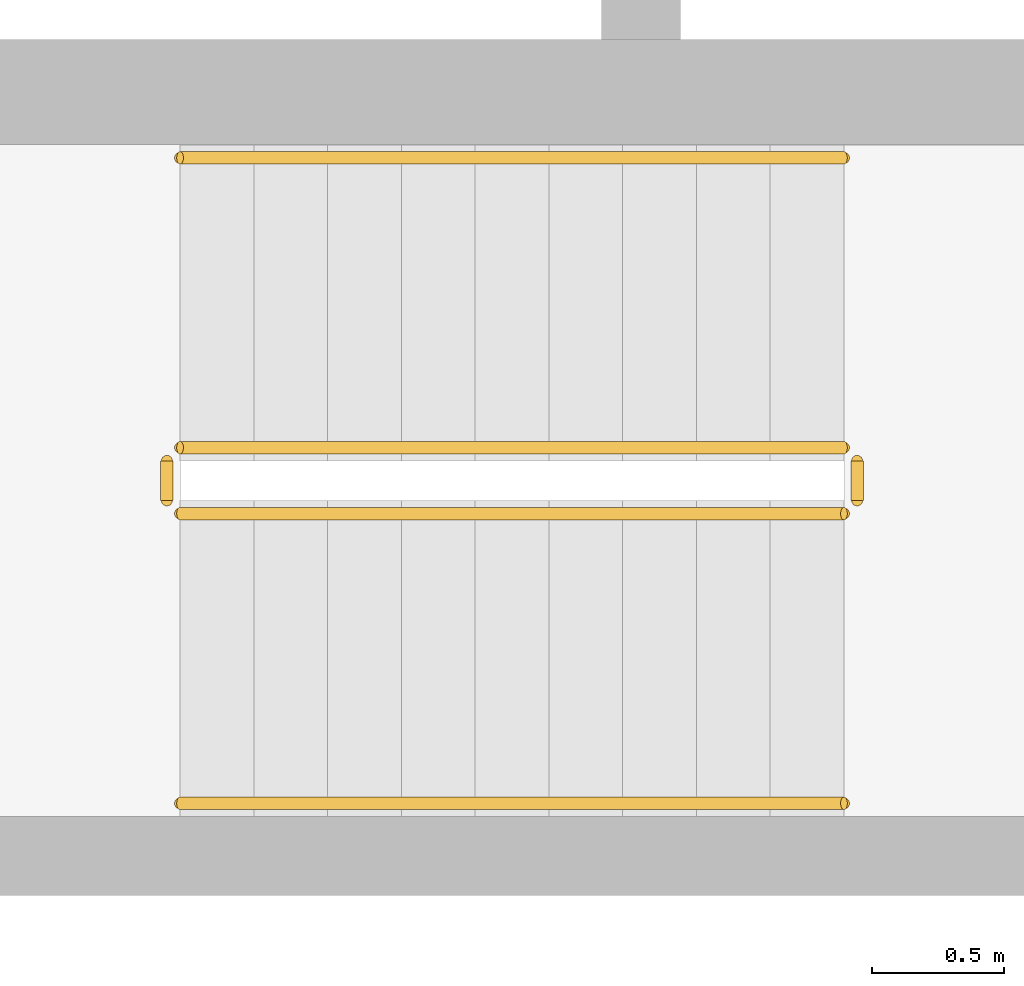
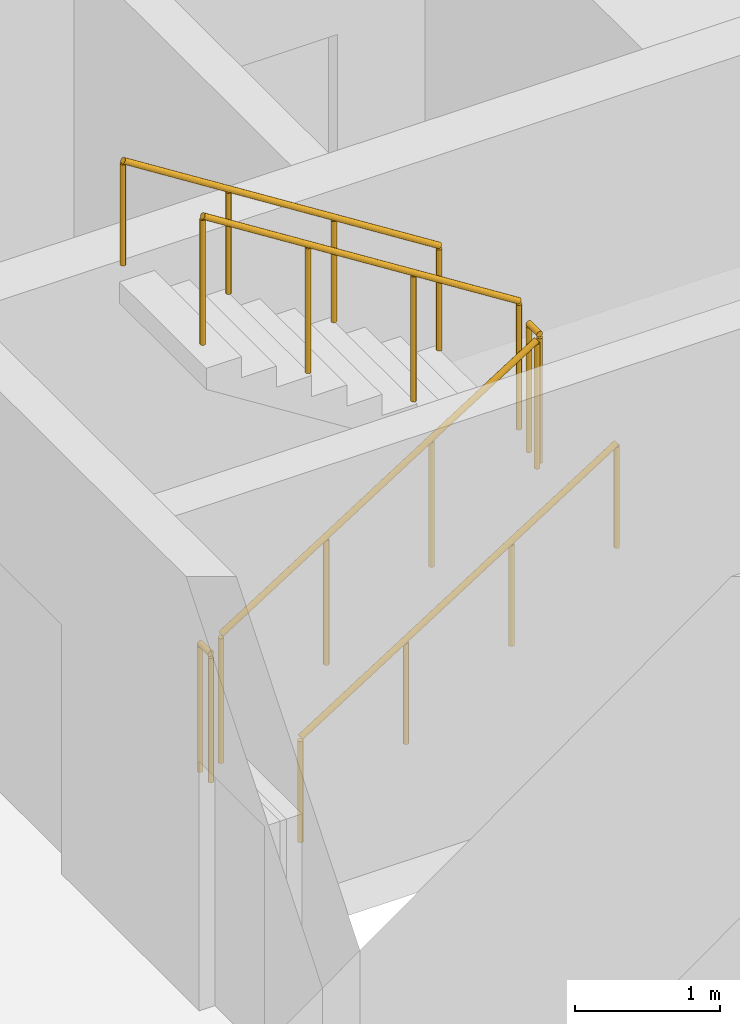
# One storey, part 16 of 19: 6 railings.
"""IFC4 building model written with IfcOpenShell, lengths in metres."""

from ifc_helpers import new_model, si_unit, direction, frame, origin, origin_2d, place, context, subcontext, project, spatial, circle, extrude, material, type_object, element, save


model = new_model("IFC4")

# Units and contexts
model_context = context("Model", 3, precision=1e-05, world=origin(), true_north=direction((0.0, 1.0)))
body_context = subcontext(model_context, "Body", "Model", "MODEL_VIEW")
ifc_project = project(units=[si_unit("LENGTHUNIT", "METRE"), si_unit("AREAUNIT", "SQUARE_METRE"), si_unit("VOLUMEUNIT", "CUBIC_METRE"), si_unit("PLANEANGLEUNIT", "RADIAN"), si_unit("MASSUNIT", "GRAM", prefix="KILO")], contexts=[model_context])

# Site, building, storey
site_placement = place(None, origin())
site = spatial("IfcSite", under=ifc_project, at=site_placement, CompositionType="ELEMENT")
building_placement = place(site_placement, origin())
building = spatial("IfcBuilding", under=site, at=building_placement, Name="Ostrand Prow Hotel Tower", CompositionType="ELEMENT")
storey_placement = place(building_placement, frame((0.0, 0.0, 43.14990234375)))
storey = spatial("IfcBuildingStorey", under=building, at=storey_placement, Name="L08", CompositionType="ELEMENT", Elevation=43.14990234375)

# Railings
ifc_material_1 = material(Name="Painted steel", Category="steel")
railing_type_1 = type_object("IfcRailingType", Name="Stair guard 1100", PredefinedType="GUARDRAIL", material=ifc_material_1)
railing_1_placement = place(storey_placement, frame((57.199951171875, -11.75, 0.177490234375)))
element("IfcRailing", 1, at=railing_1_placement, inside=storey, type_object=railing_type_1, Name="L08 ST2C stair guard 1", PredefinedType="GUARDRAIL", context=body_context, shape_type="SweptSolid", body=[
    extrude(circle(Radius=0.02392578125, at=origin_2d()), frame((0.0, 0.0, 1.076171875), z_axis=(0.84456994832, 0.0, 0.535445237532), x_axis=(0.0, 1.0, 0.0)), (0.0, 0.0, 1.0), 2.98388671875),
    extrude(circle(Radius=0.02099609375, at=origin_2d()), origin(), (0.0, 0.0, 1.0), 1.052001953125),
    extrude(circle(Radius=0.02099609375, at=origin_2d()), frame((0.840087890625, 0.0, 0.532470703125)), (0.0, 0.0, 1.0), 1.052001953125),
    extrude(circle(Radius=0.02099609375, at=origin_2d()), frame((1.679931640625, 0.0, 1.065185546875)), (0.0, 0.0, 1.0), 1.052001953125),
    extrude(circle(Radius=0.02099609375, at=origin_2d()), frame((2.52001953125, 0.0, 1.59765625)), (0.0, 0.0, 1.0), 1.052001953125),
])
railing_2_placement = place(storey_placement, frame((59.77001953125, -11.699951171875, 1.775146484375)))
element("IfcRailing", 2, at=railing_2_placement, inside=storey, type_object=railing_type_1, Name="L08 ST2C stair guard 2", PredefinedType="GUARDRAIL", context=body_context, shape_type="SweptSolid", body=[
    extrude(circle(Radius=0.02392578125, at=origin_2d()), frame((0.0, 0.0, 1.076171875), z_axis=(0.0, 1.0, 0.0), x_axis=(-1.0, 0.0, 0.0)), (0.0, 0.0, 1.0), 0.14990234375),
    extrude(circle(Radius=0.02099609375, at=origin_2d()), origin(), (0.0, 0.0, 1.0), 1.052001953125),
    extrude(circle(Radius=0.02099609375, at=origin_2d()), frame((0.0, 0.14990234375, 0.0)), (0.0, 0.0, 1.0), 1.052001953125),
])
railing_3_placement = place(storey_placement, frame((59.719970703125, -11.5, 1.95263671875)))
element("IfcRailing", 3, at=railing_3_placement, inside=storey, type_object=railing_type_1, Name="L08 ST2C stair guard 3", PredefinedType="GUARDRAIL", context=body_context, shape_type="SweptSolid", body=[
    extrude(circle(Radius=0.02392578125, at=origin_2d()), frame((0.0, 0.0, 1.076171875), z_axis=(-0.84460694969, 0.0, 0.535386869969), x_axis=(0.0, -1.0, 0.0)), (0.0, 0.0, 1.0), 2.983642578125),
    extrude(circle(Radius=0.02099609375, at=origin_2d()), origin(), (0.0, 0.0, 1.0), 1.052001953125),
    extrude(circle(Radius=0.02099609375, at=origin_2d()), frame((-0.840087890625, 0.0, 0.532470703125)), (0.0, 0.0, 1.0), 1.052001953125),
    extrude(circle(Radius=0.02099609375, at=origin_2d()), frame((-1.679931640625, 0.0, 1.06494140625)), (0.0, 0.0, 1.0), 1.052001953125),
    extrude(circle(Radius=0.02099609375, at=origin_2d()), frame((-2.52001953125, 0.0, 1.597412109375)), (0.0, 0.0, 1.0), 1.052001953125),
])
railing_4_placement = place(storey_placement, frame((57.14990234375, -11.699951171875, 0.0)))
element("IfcRailing", 4, at=railing_4_placement, inside=storey, type_object=railing_type_1, Name="L08 ST2C stair guard 4", PredefinedType="GUARDRAIL", context=body_context, shape_type="SweptSolid", body=[
    extrude(circle(Radius=0.02392578125, at=origin_2d()), frame((0.0, 0.0, 1.076171875), z_axis=(0.0, 1.0, 0.0), x_axis=(-1.0, 0.0, 0.0)), (0.0, 0.0, 1.0), 0.14990234375),
    extrude(circle(Radius=0.02099609375, at=origin_2d()), origin(), (0.0, 0.0, 1.0), 1.052001953125),
    extrude(circle(Radius=0.02099609375, at=origin_2d()), frame((0.0, 0.14990234375, 0.0)), (0.0, 0.0, 1.0), 1.052001953125),
])
ifc_material_2 = material(Name="Stainless steel", Category="steel")
railing_type_2 = type_object("IfcRailingType", Name="Stair handrail 900", PredefinedType="HANDRAIL", material=ifc_material_2)
railing_5_placement = place(storey_placement, frame((57.199951171875, -12.85009765625, 0.177490234375)))
element("IfcRailing", 5, at=railing_5_placement, inside=storey, type_object=railing_type_2, Name="L08 ST2C stair handrail 1", PredefinedType="HANDRAIL", context=body_context, shape_type="SweptSolid", body=[
    extrude(circle(Radius=0.02392578125, at=origin_2d()), frame((0.0, 0.0, 0.8759765625), z_axis=(0.84456994832, 0.0, 0.535445237532), x_axis=(0.0, 1.0, 0.0)), (0.0, 0.0, 1.0), 2.98388671875),
    extrude(circle(Radius=0.02099609375, at=origin_2d()), origin(), (0.0, 0.0, 1.0), 0.851806640625),
    extrude(circle(Radius=0.02099609375, at=origin_2d()), frame((0.840087890625, 0.0, 0.532470703125)), (0.0, 0.0, 1.0), 0.851806640625),
    extrude(circle(Radius=0.02099609375, at=origin_2d()), frame((1.679931640625, 0.0, 1.065185546875)), (0.0, 0.0, 1.0), 0.851806640625),
    extrude(circle(Radius=0.02099609375, at=origin_2d()), frame((2.52001953125, 0.0, 1.59765625)), (0.0, 0.0, 1.0), 0.851806640625),
])
railing_6_placement = place(storey_placement, frame((59.719970703125, -10.39990234375, 1.95263671875)))
element("IfcRailing", 6, at=railing_6_placement, inside=storey, type_object=railing_type_2, Name="L08 ST2C stair handrail 2", PredefinedType="HANDRAIL", context=body_context, shape_type="SweptSolid", body=[
    extrude(circle(Radius=0.02392578125, at=origin_2d()), frame((0.0, 0.0, 0.8759765625), z_axis=(-0.84460694969, 0.0, 0.535386869969), x_axis=(0.0, -1.0, 0.0)), (0.0, 0.0, 1.0), 2.983642578125),
    extrude(circle(Radius=0.02099609375, at=origin_2d()), origin(), (0.0, 0.0, 1.0), 0.851806640625),
    extrude(circle(Radius=0.02099609375, at=origin_2d()), frame((-0.840087890625, 0.0, 0.532470703125)), (0.0, 0.0, 1.0), 0.851806640625),
    extrude(circle(Radius=0.02099609375, at=origin_2d()), frame((-1.679931640625, 0.0, 1.06494140625)), (0.0, 0.0, 1.0), 0.851806640625),
    extrude(circle(Radius=0.02099609375, at=origin_2d()), frame((-2.52001953125, 0.0, 1.597412109375)), (0.0, 0.0, 1.0), 0.851806640625),
])

save(model, "model.ifc")
